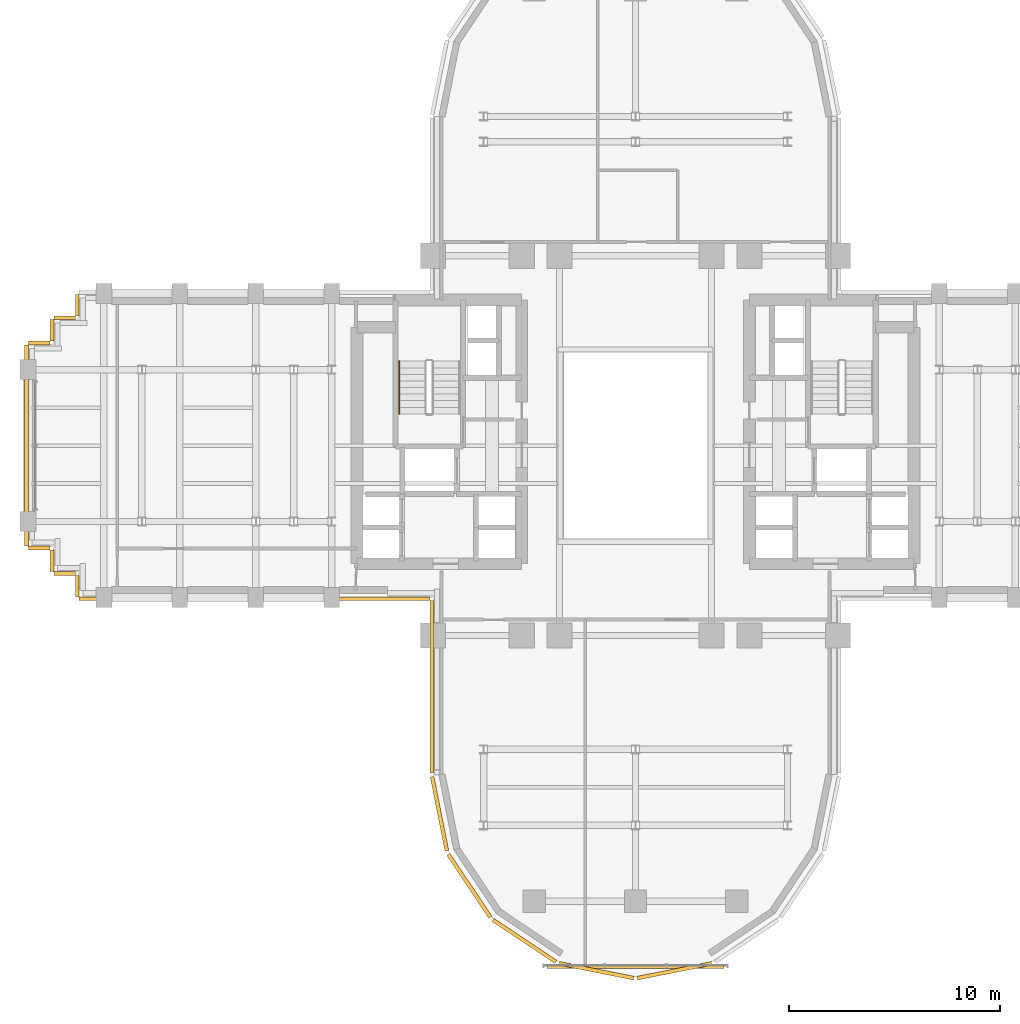
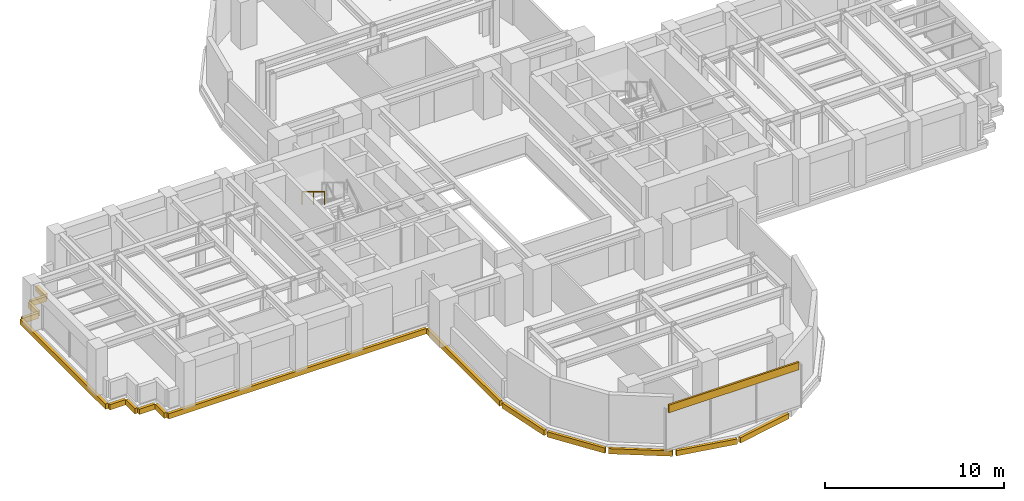
# One storey, part 13 of 16: 17 coverings, 1 railing.
"""IFC4 building model written with IfcOpenShell, lengths in metres."""

from ifc_helpers import new_model, si_unit, direction, frame, origin, origin_2d, place, context, subcontext, project, spatial, rectangle, extrude, source, transform, mapped, material, layer, layer_set, type_object, element, save


model = new_model("IFC4")

# Units and contexts
model_context = context("Model", 3, precision=1e-05, world=origin(), true_north=direction((0.0, 1.0)))
body_context = subcontext(model_context, "Body", "Model", "MODEL_VIEW")
ifc_project = project(units=[si_unit("LENGTHUNIT", "METRE"), si_unit("AREAUNIT", "SQUARE_METRE"), si_unit("VOLUMEUNIT", "CUBIC_METRE"), si_unit("PLANEANGLEUNIT", "RADIAN"), si_unit("MASSUNIT", "GRAM", prefix="KILO")], contexts=[model_context])

# Site, building, storey
site_placement = place(None, origin())
site = spatial("IfcSite", under=ifc_project, at=site_placement, CompositionType="ELEMENT")
building_placement = place(site_placement, origin())
building = spatial("IfcBuilding", under=site, at=building_placement, Name="Keilestroom Media Tower", CompositionType="ELEMENT")
storey_placement = place(building_placement, frame((0.0, 0.0, 34.0)))
storey = spatial("IfcBuildingStorey", under=building, at=storey_placement, Name="L07", CompositionType="ELEMENT", Elevation=34.0)

# Railing
ifc_material_1 = material(Name="Brushed Stainless Steel 1.4301", Category="steel")
railing_type = type_object("IfcRailingType", Name="Stair-Pitch-Handrail-920", PredefinedType="HANDRAIL", material=ifc_material_1)
railing_placement = place(storey_placement, frame((-11.2099609375, 3.99609375, 1.888916015625)))
element("IfcRailing", 1, at=railing_placement, inside=storey, type_object=railing_type, Name="L07 ST-1 stair handrail 2", PredefinedType="HANDRAIL", context=body_context, shape_type="SweptSolid", body=[
    extrude(rectangle(XDim=0.048095703125, YDim=0.048095703125, at=origin_2d()), frame((0.0, 0.0, 0.8759765625), z_axis=(0.0, -0.855470815493, 0.517851024754), x_axis=(1.0, 0.0, 0.0)), (0.0, 0.0, 1.0), 2.917724609375),
    extrude(rectangle(XDim=0.0419921875, YDim=0.0419921875, at=origin_2d()), origin(), (0.0, 0.0, 1.0), 0.84375),
    extrude(rectangle(XDim=0.0419921875, YDim=0.0419921875, at=origin_2d()), frame((0.0, -1.248046875, 0.75537109375)), (0.0, 0.0, 1.0), 0.84375),
    extrude(rectangle(XDim=0.0419921875, YDim=0.0419921875, at=origin_2d()), frame((0.0, -2.49609375, 1.510986328125)), (0.0, 0.0, 1.0), 0.84375),
])

# Coverings
ifc_material_2 = material(Name="Precast concrete C40/50", Category="concrete")
ifc_layer = layer(ifc_material_2, 0.1201171875)
ifc_layer_set = layer_set([ifc_layer], Name="Precast concrete C40/50")
covering_type = type_object("IfcCoveringType", Name="Exterior-Precast-Spandrel-Cladding-Panel-120", PredefinedType="CLADDING", material=ifc_layer_set)
shared_shape_1 = source(origin(), body_context, "Body", "SweptSolid", [
    extrude(rectangle(XDim=8.39990234375, YDim=0.1201171875, at=origin_2d()), origin(), (0.0, 0.0, 1.0), 0.52001953125),
])
covering_1_placement = place(storey_placement, frame((0.0, -24.719970703125, 2.68994140625), z_axis=(0.0, 0.0, 1.0), x_axis=(1.0, 0.0, 0.0)))
element("IfcCovering", 2, at=covering_1_placement, inside=storey, type_object=covering_type, Name="L07 Precast Spandrel Cladding S", PredefinedType="CLADDING", context=body_context, shape_type="MappedRepresentation", body=[
    mapped(shared_shape_1, transform((0.0, 0.0, 0.0), x_axis=(1.0, 0.0, 0.0), y_axis=(0.0, 1.0, 0.0), z_axis=(0.0, 0.0, 1.0), scale=1.0)),
])
shared_shape_2 = source(origin(), body_context, "Body", "SweptSolid", [
    extrude(rectangle(XDim=1.02001953125, YDim=0.179931640625, at=origin_2d()), origin(), (0.0, 0.0, 1.0), 0.360107421875),
])
for number, where, z_axis, x_axis, name in (
    (3, (-26.4599609375, -6.659912109375, -0.5400390625), (0.0, 0.0, 1.0), (0.0, 1.0, 0.0), "L07 Precast Slab-Edge Fascia Cornice 17"),
    (4, (-27.06005859375, -6.06005859375, -0.5400390625), (0.0, 0.0, 1.0), (-1.0, 0.0, 0.0), "L07 Precast Slab-Edge Fascia Cornice 18"),
    (5, (-27.659912109375, -5.4599609375, -0.5400390625), (0.0, 0.0, 1.0), (0.0, 1.0, 0.0), "L07 Precast Slab-Edge Fascia Cornice 19"),
    (6, (-28.260009765625, -4.860107421875, -0.5400390625), (0.0, 0.0, 1.0), (-1.0, 0.0, 0.0), "L07 Precast Slab-Edge Fascia Cornice 20"),
    (7, (-28.260009765625, 4.860107421875, -0.5400390625), (0.0, 0.0, 1.0), (1.0, 0.0, 0.0), "L07 Precast Slab-Edge Fascia Cornice 22"),
    (8, (-27.659912109375, 5.4599609375, -0.5400390625), (0.0, 0.0, 1.0), (0.0, 1.0, 0.0), "L07 Precast Slab-Edge Fascia Cornice 23"),
    (9, (-27.06005859375, 6.06005859375, -0.5400390625), (0.0, 0.0, 1.0), (1.0, 0.0, 0.0), "L07 Precast Slab-Edge Fascia Cornice 24"),
    (10, (-26.4599609375, 6.659912109375, -0.5400390625), (0.0, 0.0, 1.0), (0.0, 1.0, 0.0), "L07 Precast Slab-Edge Fascia Cornice 25"),
):
    element("IfcCovering", number, at=place(storey_placement, frame(where, z_axis=z_axis, x_axis=x_axis)), inside=storey, type_object=covering_type, Name=name, PredefinedType="CLADDING", context=body_context, shape_type="MappedRepresentation", body=[
        mapped(shared_shape_2, transform((0.0, 0.0, 0.0), x_axis=(1.0, 0.0, 0.0), y_axis=(0.0, 1.0, 0.0), z_axis=(0.0, 0.0, 1.0), scale=1.0)),
    ])
shared_shape_3 = source(origin(), body_context, "Body", "SweptSolid", [
    extrude(rectangle(XDim=16.6201171875, YDim=0.179931640625, at=origin_2d()), origin(), (0.0, 0.0, 1.0), 0.360107421875),
])
covering_2_placement = place(storey_placement, frame((-18.06005859375, -7.260009765625, -0.5400390625), z_axis=(0.0, 0.0, 1.0), x_axis=(-1.0, 0.0, 0.0)))
element("IfcCovering", 11, at=covering_2_placement, inside=storey, type_object=covering_type, Name="L07 Precast Slab-Edge Fascia Cornice 16", PredefinedType="CLADDING", context=body_context, shape_type="MappedRepresentation", body=[
    mapped(shared_shape_3, transform((0.0, 0.0, 0.0), x_axis=(1.0, 0.0, 0.0), y_axis=(0.0, 1.0, 0.0), z_axis=(0.0, 0.0, 1.0), scale=1.0)),
])
shared_shape_4 = source(origin(), body_context, "Body", "SweptSolid", [
    extrude(rectangle(XDim=8.166015625, YDim=0.179931640625, at=origin_2d()), origin(), (0.0, 0.0, 1.0), 0.360107421875),
])
covering_3_placement = place(storey_placement, frame((-9.659912109375, -11.43310546875, -0.5400390625), z_axis=(0.0, 0.0, 1.0), x_axis=(0.0, 1.0, 0.0)))
element("IfcCovering", 12, at=covering_3_placement, inside=storey, type_object=covering_type, Name="L07 Precast Slab-Edge Fascia Cornice 15", PredefinedType="CLADDING", context=body_context, shape_type="MappedRepresentation", body=[
    mapped(shared_shape_4, transform((0.0, 0.0, 0.0), x_axis=(1.0, 0.0, 0.0), y_axis=(0.0, 1.0, 0.0), z_axis=(0.0, 0.0, 1.0), scale=1.0)),
])
shared_shape_5 = source(origin(), body_context, "Body", "SweptSolid", [
    extrude(rectangle(XDim=3.58349609375, YDim=0.179931640625, at=origin_2d()), origin(), (0.0, 0.0, 1.0), 0.360107421875),
])
covering_4_placement = place(storey_placement, frame((-9.29296875, -17.45166015625, -0.5400390625), z_axis=(0.0, 0.0, 1.0), x_axis=(-0.195098880975, 0.980783577882, 0.0)))
element("IfcCovering", 13, at=covering_4_placement, inside=storey, type_object=covering_type, Name="L07 Precast Slab-Edge Fascia Cornice 14", PredefinedType="CLADDING", context=body_context, shape_type="MappedRepresentation", body=[
    mapped(shared_shape_5, transform((0.0, 0.0, 0.0), x_axis=(1.0, 0.0, 0.0), y_axis=(0.0, 1.0, 0.0), z_axis=(0.0, 0.0, 1.0), scale=1.0)),
])
shared_shape_6 = source(origin(), body_context, "Body", "SweptSolid", [
    extrude(rectangle(XDim=3.589599609375, YDim=0.179931640625, at=origin_2d()), origin(), (0.0, 0.0, 1.0), 0.360107421875),
])
for number, where, z_axis, x_axis, name in (
    (14, (1.8486328125, -24.893310546875, -0.5400390625), (0.0, 0.0, 1.0), (-0.980783577882, -0.195098880975, 0.0), "L07 Precast Slab-Edge Fascia Cornice 10"),
    (15, (-1.8486328125, -24.893310546875, -0.5400390625), (0.0, 0.0, 1.0), (-0.980783577882, 0.195098880975, 0.0), "L07 Precast Slab-Edge Fascia Cornice 11"),
    (16, (-5.264404296875, -23.478515625, -0.5400390625), (0.0, 0.0, 1.0), (-0.831466703332, 0.555574586577, 0.0), "L07 Precast Slab-Edge Fascia Cornice 12"),
    (17, (-7.878662109375, -20.8642578125, -0.5400390625), (0.0, 0.0, 1.0), (-0.555574586577, 0.831466703332, 0.0), "L07 Precast Slab-Edge Fascia Cornice 13"),
):
    element("IfcCovering", number, at=place(storey_placement, frame(where, z_axis=z_axis, x_axis=x_axis)), inside=storey, type_object=covering_type, Name=name, PredefinedType="CLADDING", context=body_context, shape_type="MappedRepresentation", body=[
        mapped(shared_shape_6, transform((0.0, 0.0, 0.0), x_axis=(1.0, 0.0, 0.0), y_axis=(0.0, 1.0, 0.0), z_axis=(0.0, 0.0, 1.0), scale=1.0)),
    ])
shared_shape_7 = source(origin(), body_context, "Body", "SweptSolid", [
    extrude(rectangle(XDim=9.5400390625, YDim=0.179931640625, at=origin_2d()), origin(), (0.0, 0.0, 1.0), 0.360107421875),
])
covering_5_placement = place(storey_placement, frame((-28.860107421875, 0.0, -0.5400390625), z_axis=(0.0, 0.0, 1.0), x_axis=(0.0, 1.0, 0.0)))
element("IfcCovering", 18, at=covering_5_placement, inside=storey, type_object=covering_type, Name="L07 Precast Slab-Edge Fascia Cornice 21", PredefinedType="CLADDING", context=body_context, shape_type="MappedRepresentation", body=[
    mapped(shared_shape_7, transform((0.0, 0.0, 0.0), x_axis=(1.0, 0.0, 0.0), y_axis=(0.0, 1.0, 0.0), z_axis=(0.0, 0.0, 1.0), scale=1.0)),
])

save(model, "model.ifc")
